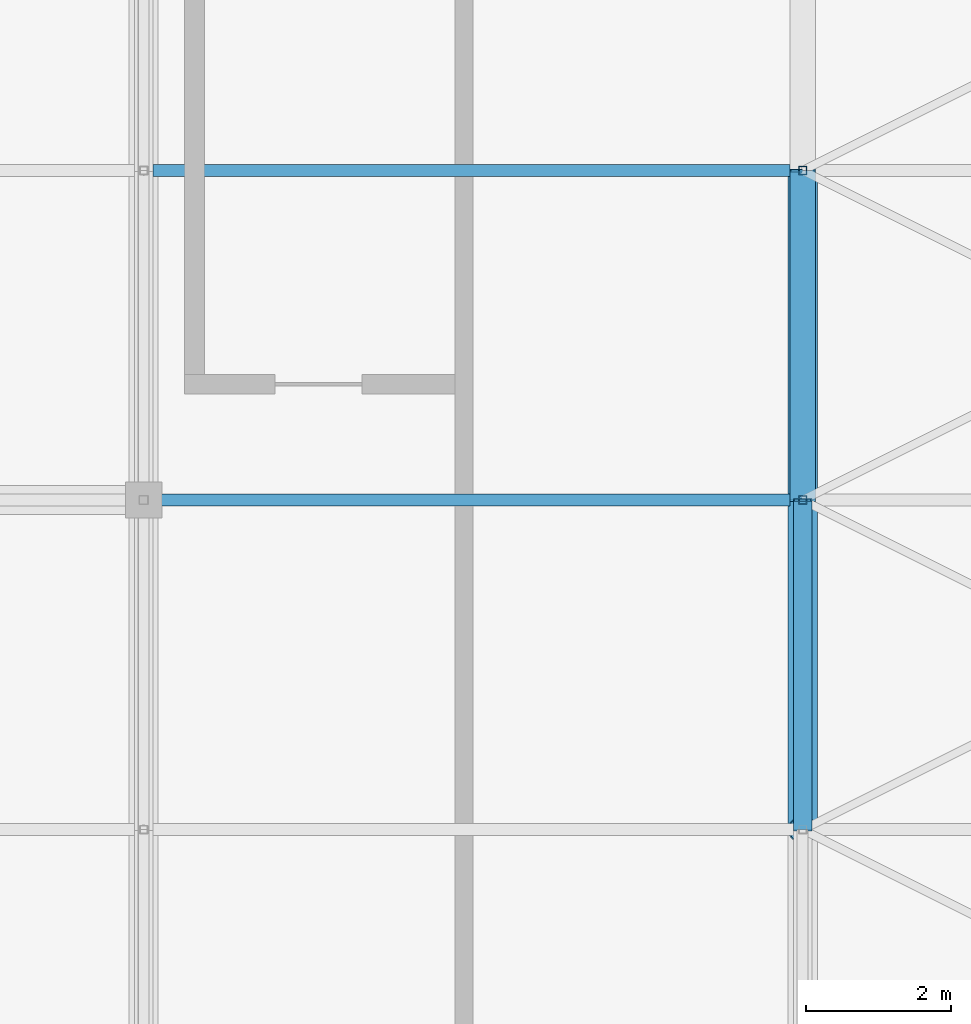
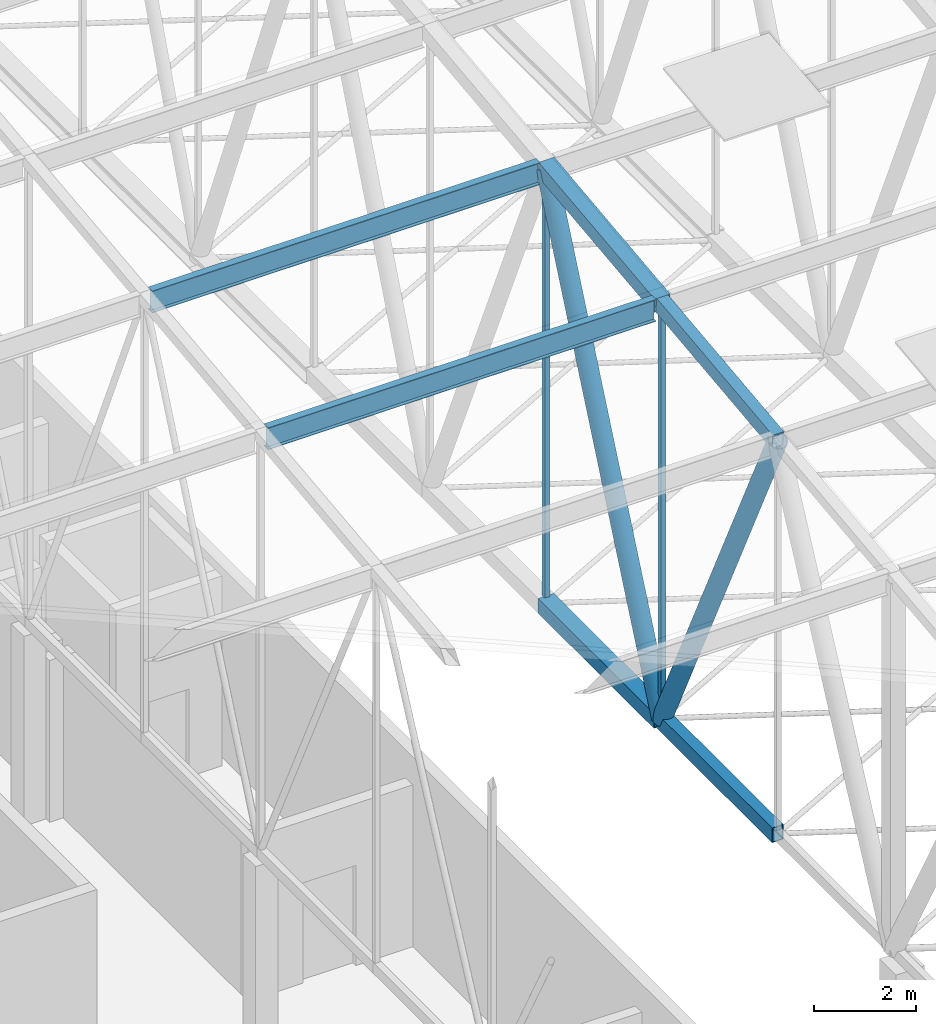
# One storey, part 47 of 500: 10 members.
"""IFC4 building model written with IfcOpenShell, lengths in metres."""

from ifc_helpers import new_model, si_unit, direction, frame, origin, origin_2d, place, context, subcontext, project, spatial, hollow_rectangle, hollow_circle, i_section, extrude, material, material_profile, profile_set, type_object, element, save


model = new_model("IFC4")

# Units and contexts
model_context = context("Model", 3, precision=1e-05, world=origin(), true_north=direction((0.0, 1.0)))
body_context = subcontext(model_context, "Body", "Model", "MODEL_VIEW")
ifc_project = project(units=[si_unit("LENGTHUNIT", "METRE"), si_unit("AREAUNIT", "SQUARE_METRE"), si_unit("VOLUMEUNIT", "CUBIC_METRE"), si_unit("PLANEANGLEUNIT", "RADIAN"), si_unit("MASSUNIT", "GRAM", prefix="KILO")], contexts=[model_context])

# Site, building, storey
site_placement = place(None, origin())
site = spatial("IfcSite", under=ifc_project, at=site_placement, CompositionType="ELEMENT")
building_placement = place(site_placement, origin())
building = spatial("IfcBuilding", under=site, at=building_placement, Name="Shirokan Park Arena", CompositionType="ELEMENT")
storey_placement = place(building_placement, frame((0.0, 0.0, 29.1201171875)))
storey = spatial("IfcBuildingStorey", under=building, at=storey_placement, Name="L06", CompositionType="ELEMENT", Elevation=29.1201171875)

# Members
ifc_material_1 = material(Name="Steel ASTM A500 Grade C", Category="steel")
ifc_material_profile_1 = material_profile(ifc_material_1, hollow_rectangle(XDim=0.25390625, YDim=0.35595703125, WallThickness=0.015869140625, at=origin_2d()), Name="HSS355.6X254X15.9")
ifc_profile_set_1 = profile_set([ifc_material_profile_1], Name="Steel ASTM A500 Grade C")
member_type_1 = type_object("IfcMemberType", Name="Bottom chord HSS355.6X254X15.9", PredefinedType="CHORD", material=ifc_profile_set_1)
member_1_placement = place(storey_placement, frame((45.5, 13.64990234375, 4.677001953125), z_axis=(0.0, 1.0, 0.0), x_axis=(-1.0, 0.0, 0.0)))
element("IfcMember", 1, at=member_1_placement, inside=storey, type_object=member_type_1, Name="Truss T06 bottom chord 6", PredefinedType="CHORD", context=body_context, shape_type="SweptSolid", body=[
    extrude(hollow_rectangle(XDim=0.25390625, YDim=0.35595703125, WallThickness=0.015869140625, at=origin_2d()), origin(), (0.0, 0.0, 1.0), 4.550048828125),
])
ifc_material_profile_2 = material_profile(ifc_material_1, hollow_rectangle(XDim=0.35595703125, YDim=0.35595703125, WallThickness=0.01904296875, at=origin_2d()), Name="HSS355.6X355.6X19.0")
ifc_profile_set_2 = profile_set([ifc_material_profile_2], Name="Steel ASTM A500 Grade C")
member_type_2 = type_object("IfcMemberType", Name="Bottom chord HSS355.6X355.6X19.0", PredefinedType="CHORD", material=ifc_profile_set_2)
member_2_placement = place(storey_placement, frame((45.5, 18.199951171875, 4.677001953125), z_axis=(0.0, 1.0, 0.0), x_axis=(-1.0, 0.0, 0.0)))
element("IfcMember", 2, at=member_2_placement, inside=storey, type_object=member_type_2, Name="Truss T06 bottom chord 7", PredefinedType="CHORD", context=body_context, shape_type="SweptSolid", body=[
    extrude(hollow_rectangle(XDim=0.35595703125, YDim=0.35595703125, WallThickness=0.01904296875, at=origin_2d()), origin(), (0.0, 0.0, 1.0), 4.550048828125),
])
ifc_material_2 = material(Name="Steel ASTM A992", Category="steel")
ifc_material_profile_3 = material_profile(ifc_material_2, i_section(OverallWidth=0.166015625, OverallDepth=0.528076171875, WebThickness=0.009765625, FlangeThickness=0.013671875, at=origin_2d()), Name="W530X74")
ifc_profile_set_3 = profile_set([ifc_material_profile_3], Name="Steel ASTM A992")
member_type_3 = type_object("IfcMemberType", Name="Purlin W530X74", PredefinedType="PURLIN", material=ifc_profile_set_3)
for number, where, z_axis, x_axis, name in (
    (3, (36.527099609375, 18.199951171875, 14.56591796875), (1.0, 0.0, 0.0), (0.0, 1.0, 0.0), "Purlin 7 bay 5"),
    (4, (36.527099609375, 22.75, 15.0859375), (1.0, 0.0, 0.0), (0.0, 1.0, 0.0), "Purlin 8 bay 5"),
):
    element("IfcMember", number, at=place(storey_placement, frame(where, z_axis=z_axis, x_axis=x_axis)), inside=storey, type_object=member_type_3, Name=name, PredefinedType="PURLIN", context=body_context, shape_type="SweptSolid", body=[
        extrude(i_section(OverallWidth=0.166015625, OverallDepth=0.528076171875, WebThickness=0.009765625, FlangeThickness=0.013671875, at=origin_2d()), origin(), (0.0, 0.0, 1.0), 8.794921875),
    ])
ifc_material_profile_4 = material_profile(ifc_material_1, hollow_rectangle(XDim=0.25390625, YDim=0.35595703125, WallThickness=0.015869140625, at=origin_2d()), Name="HSS355.6X254X15.9")
ifc_profile_set_4 = profile_set([ifc_material_profile_4], Name="Steel ASTM A500 Grade C")
member_type_4 = type_object("IfcMemberType", Name="Top chord HSS355.6X254X15.9", PredefinedType="CHORD", material=ifc_profile_set_4)
member_3_placement = place(storey_placement, frame((45.5, 13.64990234375, 14.101318359375), z_axis=(0.0, 0.993532328996, 0.113549598152), x_axis=(-1.0, 0.0, 0.0)))
element("IfcMember", 5, at=member_3_placement, inside=storey, type_object=member_type_4, Name="Truss T06 top chord 6", PredefinedType="CHORD", context=body_context, shape_type="SweptSolid", body=[
    extrude(hollow_rectangle(XDim=0.25390625, YDim=0.35595703125, WallThickness=0.015869140625, at=origin_2d()), origin(), (0.0, 0.0, 1.0), 4.57958984375),
])
ifc_material_profile_5 = material_profile(ifc_material_1, hollow_rectangle(XDim=0.35595703125, YDim=0.35595703125, WallThickness=0.01904296875, at=origin_2d()), Name="HSS355.6X355.6X19.0")
ifc_profile_set_5 = profile_set([ifc_material_profile_5], Name="Steel ASTM A500 Grade C")
member_type_5 = type_object("IfcMemberType", Name="Top chord HSS355.6X355.6X19.0", PredefinedType="CHORD", material=ifc_profile_set_5)
member_4_placement = place(storey_placement, frame((45.5, 18.199951171875, 14.621337890625), z_axis=(0.0, 0.993532328996, 0.113549598152), x_axis=(-1.0, 0.0, 0.0)))
element("IfcMember", 6, at=member_4_placement, inside=storey, type_object=member_type_5, Name="Truss T06 top chord 7", PredefinedType="CHORD", context=body_context, shape_type="SweptSolid", body=[
    extrude(hollow_rectangle(XDim=0.35595703125, YDim=0.35595703125, WallThickness=0.01904296875, at=origin_2d()), origin(), (0.0, 0.0, 1.0), 4.57958984375),
])
ifc_material_profile_6 = material_profile(ifc_material_1, hollow_circle(Radius=0.202880859375, WallThickness=0.015869140625, at=origin_2d()), Name="HSS406.4X15.9")
ifc_profile_set_6 = profile_set([ifc_material_profile_6], Name="Steel ASTM A500 Grade C")
member_type_6 = type_object("IfcMemberType", Name="Truss diagonal HSS406.4X15.9", PredefinedType="BRACE", material=ifc_profile_set_6)
member_5_placement = place(storey_placement, frame((45.5, 13.64990234375, 14.101318359375), z_axis=(0.0, 0.434778423415, -0.900537463148), x_axis=(-1.0, 0.0, 0.0)))
element("IfcMember", 7, at=member_5_placement, inside=storey, type_object=member_type_6, Name="Truss T06 diagonal 6", PredefinedType="BRACE", context=body_context, shape_type="SweptSolid", body=[
    extrude(hollow_circle(Radius=0.202880859375, WallThickness=0.015869140625, at=origin_2d()), origin(), (0.0, 0.0, 1.0), 10.46533203125),
])
member_6_placement = place(storey_placement, frame((45.5, 18.199951171875, 4.677001953125), z_axis=(0.0, 0.398750364192, 0.917059511186), x_axis=(-1.0, 0.0, 0.0)))
element("IfcMember", 8, at=member_6_placement, inside=storey, type_object=member_type_6, Name="Truss T06 diagonal 7", PredefinedType="BRACE", context=body_context, shape_type="SweptSolid", body=[
    extrude(hollow_circle(Radius=0.202880859375, WallThickness=0.015869140625, at=origin_2d()), origin(), (0.0, 0.0, 1.0), 11.410888671875),
])
ifc_material_profile_7 = material_profile(ifc_material_1, hollow_rectangle(XDim=0.114013671875, YDim=0.114013671875, WallThickness=0.00634765625, at=origin_2d()), Name="HSS114.3X114.3X6.4")
ifc_profile_set_7 = profile_set([ifc_material_profile_7], Name="Steel ASTM A500 Grade C")
member_type_7 = type_object("IfcMemberType", Name="Truss post HSS114.3X114.3X6.4", PredefinedType="POST", material=ifc_profile_set_7)
member_7_placement = place(storey_placement, frame((45.5, 18.199951171875, 4.677001953125), z_axis=(0.0, 0.0, 1.0), x_axis=(1.0, 0.0, 0.0)))
element("IfcMember", 9, at=member_7_placement, inside=storey, type_object=member_type_7, Name="Truss T06 post 7", PredefinedType="POST", context=body_context, shape_type="SweptSolid", body=[
    extrude(hollow_rectangle(XDim=0.114013671875, YDim=0.114013671875, WallThickness=0.00634765625, at=origin_2d()), origin(), (0.0, 0.0, 1.0), 9.9443359375),
])
member_8_placement = place(storey_placement, frame((45.5, 22.75, 4.677001953125), z_axis=(0.0, 0.0, 1.0), x_axis=(1.0, 0.0, 0.0)))
element("IfcMember", 10, at=member_8_placement, inside=storey, type_object=member_type_7, Name="Truss T06 post 8", PredefinedType="POST", context=body_context, shape_type="SweptSolid", body=[
    extrude(hollow_rectangle(XDim=0.114013671875, YDim=0.114013671875, WallThickness=0.00634765625, at=origin_2d()), origin(), (0.0, 0.0, 1.0), 10.46435546875),
])

save(model, "model.ifc")
